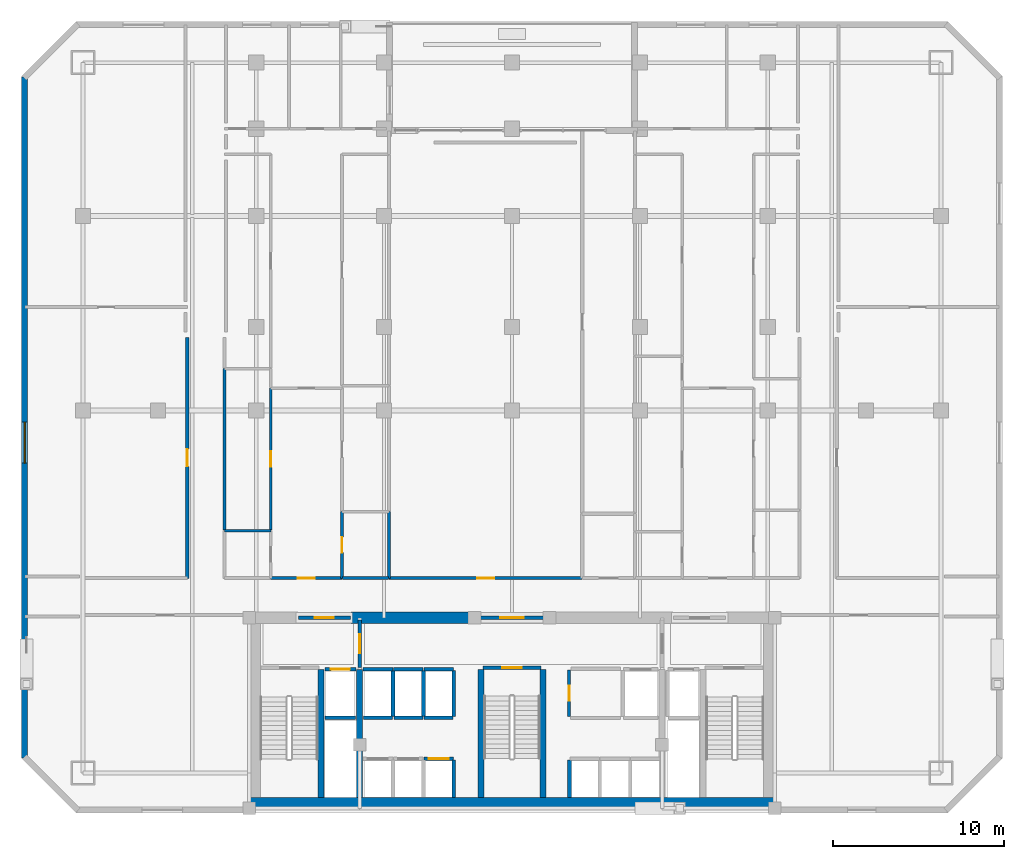
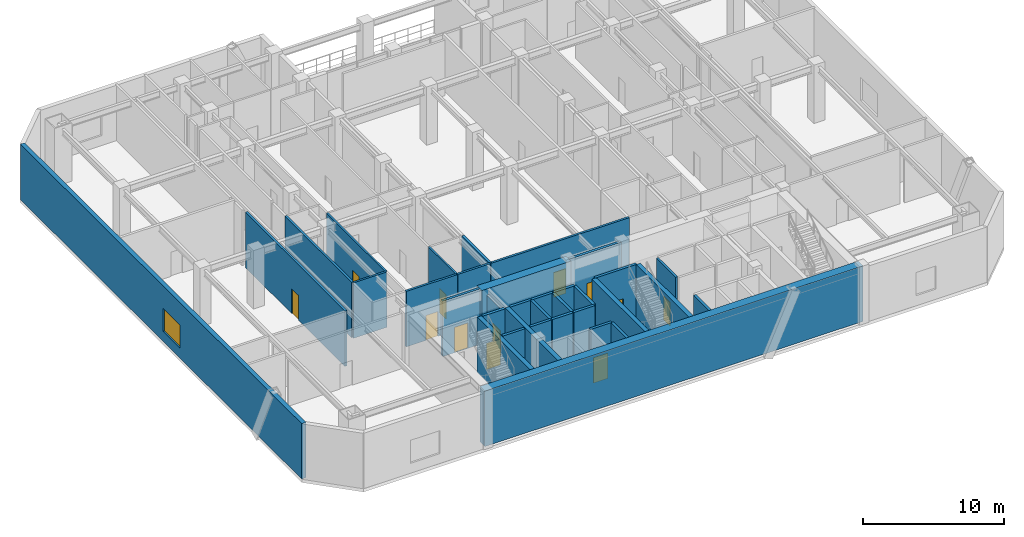
# One storey, part 7 of 12: 35 walls, 12 doors, 1 window, 13 openings.
"""IFC4 building model written with IfcOpenShell, lengths in metres."""

from ifc_helpers import new_model, si_unit, direction, frame, frame_2d, origin, place, context, subcontext, project, spatial, rectangle, extrude, material, layer, layer_set, type_object, element, fill, save


model = new_model("IFC4")

# Units and contexts
model_context = context("Model", 3, precision=1e-05, world=origin(), true_north=direction((0.0, 1.0)))
body_context = subcontext(model_context, "Body", "Model", "MODEL_VIEW")
ifc_project = project(units=[si_unit("LENGTHUNIT", "METRE"), si_unit("AREAUNIT", "SQUARE_METRE"), si_unit("VOLUMEUNIT", "CUBIC_METRE"), si_unit("PLANEANGLEUNIT", "RADIAN"), si_unit("MASSUNIT", "GRAM", prefix="KILO")], contexts=[model_context])

# Site, building, storey
site_placement = place(None, origin())
site = spatial("IfcSite", under=ifc_project, at=site_placement, CompositionType="ELEMENT")
building_placement = place(site_placement, origin())
building = spatial("IfcBuilding", under=site, at=building_placement, Name="Ventersveld Concourse Tower", CompositionType="ELEMENT")
storey_placement = place(building_placement, frame((0.0, 0.0, 76.0)))
storey = spatial("IfcBuildingStorey", under=building, at=storey_placement, Name="L18", CompositionType="ELEMENT", Elevation=76.0)

# Walls
ifc_material_1 = material(Name="Concrete C60/75", Category="concrete")
ifc_layer_1 = layer(ifc_material_1, 0.35009765625)
ifc_layer_set_1 = layer_set([ifc_layer_1], Name="Concrete C60/75")
wall_type_1 = type_object("IfcWallType", Name="WL-CORE-350L", PredefinedType="SHEAR", material=ifc_layer_set_1)
for number, where, z_axis, x_axis, name in (
    (1, (17.5400390625, 0.919921875, 0.0), (0.0, 0.0, 1.0), (0.0, 1.0, 0.0), "L18 Core Internal Shear Web W-ST1-E"),
    (2, (19.820068359375, 0.919921875, 0.0), (0.0, 0.0, 1.0), (0.0, 1.0, 0.0), "L18 Core Internal Shear Web W-FF1-E"),
    (3, (26.93994140625, 0.919921875, 0.0), (0.0, 0.0, 1.0), (0.0, 1.0, 0.0), "L18 Core Internal Shear Web W-ST3-W"),
    (4, (30.56005859375, 0.919921875, 0.0), (0.0, 0.0, 1.0), (0.0, 1.0, 0.0), "L18 Core Internal Shear Web W-ST3-E"),
):
    element("IfcWall", number, at=place(storey_placement, frame(where, z_axis=z_axis, x_axis=x_axis)), inside=storey, type_object=wall_type_1, Name=name, PredefinedType="SHEAR", context=body_context, shape_type="SweptSolid", body=[
        extrude(rectangle(XDim=7.5, YDim=0.35009765625, at=frame_2d((3.75, 0.0))), origin(), (0.0, 0.0, 1.0), 4.800048828125),
    ])
ifc_layer_2 = layer(ifc_material_1, 0.699951171875)
ifc_layer_set_2 = layer_set([ifc_layer_2], Name="Concrete C60/75")
wall_type_2 = type_object("IfcWallType", Name="WL-CORE-700", PredefinedType="SHEAR", material=ifc_layer_set_2)
wall_1_placement = place(storey_placement, frame((13.25, 0.570068359375, 0.0), z_axis=(0.0, 0.0, 1.0), x_axis=(1.0, 0.0, 0.0)))
element("IfcWall", 5, at=wall_1_placement, inside=storey, type_object=wall_type_2, Name="L18 Rear Core South Shear Wall", PredefinedType="SHEAR", context=body_context, shape_type="SweptSolid", body=[
    extrude(rectangle(XDim=31.0, YDim=0.699951171875, at=frame_2d((15.5, 0.0))), origin(), (0.0, 0.0, 1.0), 4.800048828125),
])
wall_2_placement = place(storey_placement, frame((19.300048828125, 11.449951171875, 0.0), z_axis=(0.0, 0.0, 1.0), x_axis=(1.0, 0.0, 0.0)))
element("IfcWall", 6, at=wall_2_placement, inside=storey, type_object=wall_type_2, Name="L18 Rear Core North Shear Wall NML", PredefinedType="SHEAR", context=body_context, shape_type="SweptSolid", body=[
    extrude(rectangle(XDim=7.300048828125, YDim=0.699951171875, at=frame_2d((3.64990234375, 0.0))), origin(), (0.0, 0.0, 1.0), 4.800048828125),
])

# Wall, opening, door
ifc_material_2 = material(Name="Fire-rated autoclaved aerated masonry blockwork", Category="masonry")
ifc_layer_3 = layer(ifc_material_2, 0.179931640625)
ifc_layer_set_3 = layer_set([ifc_layer_3], Name="Fire-rated autoclaved aerated masonry blockwork")
wall_type_3 = type_object("IfcWallType", Name="WL-CORR-180", PredefinedType="PARTITIONING", material=ifc_layer_set_3)
wall_3_placement = place(storey_placement, frame((32.10009765625, 5.64990234375, 0.0), z_axis=(0.0, 0.0, 1.0), x_axis=(0.0, 1.0, 0.0)))
wall_3 = element("IfcWall", 7, at=wall_3_placement, inside=storey, type_object=wall_type_3, Name="L18 Core Passage Wall SP-L18-CBAY1", PredefinedType="PARTITIONING", context=body_context, shape_type="SweptSolid", body=[
    extrude(rectangle(XDim=2.72998046875, YDim=0.179931640625, at=frame_2d((1.364990234375, 0.0))), origin(), (0.0, 0.0, 1.0), 4.800048828125),
])
opening_1_placement = place(wall_3_placement, frame((0.925048828125, 0.0, 0.0)))
opening_1 = element("IfcOpeningElement", 8, at=opening_1_placement, cuts=wall_3, Name="Opening FD5", PredefinedType="OPENING", context=body_context, shape_type="SweptSolid", body=[
    extrude(rectangle(XDim=0.8798828125, YDim=2.050048828125, at=frame_2d((0.43994140625, 1.02490234375))), frame((0.0, 0.10009765625, 0.0), z_axis=(0.0, -1.0, 0.0), x_axis=(1.0, 0.0, 0.0)), (0.0, 0.0, 1.0), 0.199951171875),
])
ifc_material_3 = material(Name="Galvanised painted steel", Category="steel")
door_type_1 = type_object("IfcDoorType", Name="DR-RISER-088", OperationType="NOTDEFINED", PredefinedType="DOOR", material=ifc_material_3)
door_1_placement = place(opening_1_placement, origin())
door_1 = element("IfcDoor", 9, at=door_1_placement, inside=storey, type_object=door_type_1, Name="L18 Core Room Door L18 Core Housekeeping Linen Store (CD-L18-0842)", OperationType="SINGLE_SWING_LEFT", OverallHeight=2.050048828125, OverallWidth=0.8798828125, PredefinedType="DOOR", context=body_context, shape_type="SweptSolid", body=[
    extrude(rectangle(XDim=0.8798828125, YDim=2.050048828125, at=frame_2d((0.43994140625, 1.02490234375))), frame((0.0, 0.02490234375, 0.0), z_axis=(0.0, -1.0, 0.0), x_axis=(1.0, 0.0, 0.0)), (0.0, 0.0, 1.0), 0.050048828125),
])
fill(opening_1, door_1)

wall_4_placement = place(storey_placement, frame((9.7099609375, 13.764892578125, 0.0), z_axis=(0.0, 0.0, 1.0), x_axis=(0.0, 1.0, 0.0)))
wall_4 = element("IfcWall", 10, at=wall_4_placement, inside=storey, type_object=wall_type_3, Name="L18 Interior Partition SP-L18-COR-SP-L18-NWLNG1", PredefinedType="PARTITIONING", context=body_context, shape_type="SweptSolid", body=[
    extrude(rectangle(XDim=14.130126953125, YDim=0.179931640625, at=frame_2d((7.06494140625, 0.0))), origin(), (0.0, 0.0, 1.0), 4.800048828125),
])
opening_2_placement = place(wall_4_placement, frame((6.56494140625, 0.0, 0.0)))
opening_2 = element("IfcOpeningElement", 11, at=opening_2_placement, cuts=wall_4, Name="Opening FD3", PredefinedType="OPENING", context=body_context, shape_type="SweptSolid", body=[
    extrude(rectangle(XDim=1.0, YDim=2.14990234375, at=frame_2d((0.5, 1.074951171875))), frame((0.0, 0.10009765625, 0.0), z_axis=(0.0, -1.0, 0.0), x_axis=(1.0, 0.0, 0.0)), (0.0, 0.0, 1.0), 0.199951171875),
])
ifc_material_4 = material(Name="Solid-core hardwood veneer timber", Category="wood")
door_type_2 = type_object("IfcDoorType", Name="DR-FLAT-100", OperationType="NOTDEFINED", PredefinedType="DOOR", material=ifc_material_4)
door_2_placement = place(opening_2_placement, origin())
door_2 = element("IfcDoor", 12, at=door_2_placement, inside=storey, type_object=door_type_2, Name="L18 Interior Door SP-L18-COR to SP-L18-NWLNG1 (D-L18-0845)", OperationType="SINGLE_SWING_LEFT", OverallHeight=2.14990234375, OverallWidth=1.0, PredefinedType="DOOR", context=body_context, shape_type="SweptSolid", body=[
    extrude(rectangle(XDim=1.0, YDim=2.14990234375, at=frame_2d((0.5, 1.074951171875))), frame((0.0, 0.02490234375, 0.0), z_axis=(0.0, -1.0, 0.0), x_axis=(1.0, 0.0, 0.0)), (0.0, 0.0, 1.0), 0.050048828125),
])
fill(opening_2, door_2)

wall_5_placement = place(storey_placement, frame((21.534912109375, 13.77001953125, 0.0), z_axis=(0.0, 0.0, 1.0), x_axis=(1.0, 0.0, 0.0)))
wall_5 = element("IfcWall", 13, at=wall_5_placement, inside=storey, type_object=wall_type_3, Name="L18 Interior Partition SP-L18-COR-SP-L18-SGLNG", PredefinedType="PARTITIONING", context=body_context, shape_type="SweptSolid", body=[
    extrude(rectangle(XDim=11.330078125, YDim=0.179931640625, at=frame_2d((5.6650390625, 0.0))), origin(), (0.0, 0.0, 1.0), 4.800048828125),
])
opening_3_placement = place(wall_5_placement, frame((5.1650390625, 0.0, 0.0)))
opening_3 = element("IfcOpeningElement", 14, at=opening_3_placement, cuts=wall_5, Name="Opening FD3", PredefinedType="OPENING", context=body_context, shape_type="SweptSolid", body=[
    extrude(rectangle(XDim=1.0, YDim=2.14990234375, at=frame_2d((0.5, 1.074951171875))), frame((0.0, 0.10009765625, 0.0), z_axis=(0.0, -1.0, 0.0), x_axis=(1.0, 0.0, 0.0)), (0.0, 0.0, 1.0), 0.199951171875),
])
door_3_placement = place(opening_3_placement, origin())
door_3 = element("IfcDoor", 15, at=door_3_placement, inside=storey, type_object=door_type_2, Name="L18 Interior Door SP-L18-COR to SP-L18-SGLNG (D-L18-0847)", OperationType="SINGLE_SWING_LEFT", OverallHeight=2.14990234375, OverallWidth=1.0, PredefinedType="DOOR", context=body_context, shape_type="SweptSolid", body=[
    extrude(rectangle(XDim=1.0, YDim=2.14990234375, at=frame_2d((0.5, 1.074951171875))), frame((0.0, 0.02490234375, 0.0), z_axis=(0.0, -1.0, 0.0), x_axis=(1.0, 0.0, 0.0)), (0.0, 0.0, 1.0), 0.050048828125),
])
fill(opening_3, door_3)

wall_6_placement = place(storey_placement, frame((14.602294921875, 13.77001953125, 0.0), z_axis=(0.0, 0.0, 1.0), x_axis=(1.0, 0.0, 0.0)))
wall_6 = element("IfcWall", 16, at=wall_6_placement, inside=storey, type_object=wall_type_3, Name="L18 Interior Partition SP-L18-COR-SP-L18-18CW-FOY", PredefinedType="PARTITIONING", context=body_context, shape_type="SweptSolid", body=[
    extrude(rectangle(XDim=4.18603515625, YDim=0.179931640625, at=frame_2d((2.093017578125, 0.0))), origin(), (0.0, 0.0, 1.0), 4.800048828125),
])
opening_4_placement = place(wall_6_placement, frame((1.593017578125, 0.0, 0.0)))
opening_4 = element("IfcOpeningElement", 17, at=opening_4_placement, cuts=wall_6, Name="Opening FD3", PredefinedType="OPENING", context=body_context, shape_type="SweptSolid", body=[
    extrude(rectangle(XDim=1.0, YDim=2.14990234375, at=frame_2d((0.5, 1.074951171875))), frame((0.0, 0.10009765625, 0.0), z_axis=(0.0, -1.0, 0.0), x_axis=(1.0, 0.0, 0.0)), (0.0, 0.0, 1.0), 0.199951171875),
])
door_4_placement = place(opening_4_placement, origin())
door_4 = element("IfcDoor", 18, at=door_4_placement, inside=storey, type_object=door_type_2, Name="L18 Interior Door SP-L18-COR to SP-L18-18CW-FOY (FD-L18-0849)", OperationType="SINGLE_SWING_LEFT", OverallHeight=2.14990234375, OverallWidth=1.0, PredefinedType="DOOR", context=body_context, shape_type="SweptSolid", body=[
    extrude(rectangle(XDim=1.0, YDim=2.14990234375, at=frame_2d((0.5, 1.074951171875))), frame((0.0, 0.02490234375, 0.0), z_axis=(0.0, -1.0, 0.0), x_axis=(1.0, 0.0, 0.0)), (0.0, 0.0, 1.0), 0.050048828125),
])
fill(opening_4, door_4)

# Walls
wall_7_placement = place(storey_placement, frame((11.889892578125, 16.586181640625, 0.0), z_axis=(0.0, 0.0, 1.0), x_axis=(0.0, 1.0, 0.0)))
element("IfcWall", 19, at=wall_7_placement, inside=storey, type_object=wall_type_3, Name="L18 Interior Partition SP-L18-COR-SP-L18-18CW-OFFL0", PredefinedType="PARTITIONING", context=body_context, shape_type="SweptSolid", body=[
    extrude(rectangle(XDim=9.473388671875, YDim=0.179931640625, at=frame_2d((4.73681640625, 0.0))), origin(), (0.0, 0.0, 1.0), 4.800048828125),
])
wall_8_placement = place(storey_placement, frame((18.818359375, 13.77001953125, 0.0), z_axis=(0.0, 0.0, 1.0), x_axis=(1.0, 0.0, 0.0)))
element("IfcWall", 20, at=wall_8_placement, inside=storey, type_object=wall_type_3, Name="L18 Interior Partition SP-L18-COR-SP-L18-18CW-KIT", PredefinedType="PARTITIONING", context=body_context, shape_type="SweptSolid", body=[
    extrude(rectangle(XDim=2.6865234375, YDim=0.179931640625, at=frame_2d((1.34326171875, 0.0))), origin(), (0.0, 0.0, 1.0), 4.800048828125),
])
ifc_layer_4 = layer(ifc_material_2, 0.199951171875)
ifc_layer_set_4 = layer_set([ifc_layer_4], Name="Fire-rated autoclaved aerated masonry blockwork")
wall_type_4 = type_object("IfcWallType", Name="WL-DEMISE-200", PredefinedType="PARTITIONING", material=ifc_layer_set_4)
wall_9_placement = place(storey_placement, frame((21.5400390625, 13.764892578125, 0.0), z_axis=(0.0, 0.0, 1.0), x_axis=(0.0, 1.0, 0.0)))
element("IfcWall", 21, at=wall_9_placement, inside=storey, type_object=wall_type_4, Name="L18 Interior Partition SP-L18-SGLNG-SP-L18-18CW-KIT", PredefinedType="PARTITIONING", context=body_context, shape_type="SweptSolid", body=[
    extrude(rectangle(XDim=3.916015625, YDim=0.199951171875, at=frame_2d((1.9580078125, 0.0))), origin(), (0.0, 0.0, 1.0), 4.800048828125),
])
ifc_layer_5 = layer(ifc_material_2, 0.219970703125)
ifc_layer_set_5 = layer_set([ifc_layer_5], Name="Fire-rated autoclaved aerated masonry blockwork")
wall_type_5 = type_object("IfcWallType", Name="WL-HOIST-220", PredefinedType="SOLIDWALL", material=ifc_layer_set_5)
wall_10_placement = place(storey_placement, frame((17.800048828125, 5.590087890625, 0.0), z_axis=(0.0, 0.0, 1.0), x_axis=(1.0, 0.0, 0.0)))
element("IfcWall", 22, at=wall_10_placement, inside=storey, type_object=wall_type_5, Name="L18 Lift Hoistway Back Wall FFL-01", PredefinedType="SOLIDWALL", context=body_context, shape_type="SweptSolid", body=[
    extrude(rectangle(XDim=1.780029296875, YDim=0.219970703125, at=frame_2d((0.89013671875, 0.0))), origin(), (0.0, 0.0, 1.0), 4.800048828125),
])

# Wall, opening, door
wall_11_placement = place(storey_placement, frame((17.780029296875, 8.429931640625, 0.0), z_axis=(0.0, 0.0, 1.0), x_axis=(1.0, 0.0, 0.0)))
wall_11 = element("IfcWall", 23, at=wall_11_placement, inside=storey, type_object=wall_type_5, Name="L18 Lift Hoistway Front Wall FFL-01", PredefinedType="SOLIDWALL", context=body_context, shape_type="SweptSolid", body=[
    extrude(rectangle(XDim=1.820068359375, YDim=0.219970703125, at=frame_2d((0.91015625, 0.0))), origin(), (0.0, 0.0, 1.0), 4.800048828125),
])
opening_5_placement = place(wall_11_placement, frame((0.35009765625, 0.0, 0.0)))
opening_5 = element("IfcOpeningElement", 24, at=opening_5_placement, cuts=wall_11, Name="Opening LD1", PredefinedType="OPENING", context=body_context, shape_type="SweptSolid", body=[
    extrude(rectangle(XDim=1.1201171875, YDim=2.25, at=frame_2d((0.56005859375, 1.125))), frame((0.0, 0.1201171875, 0.0), z_axis=(0.0, -1.0, 0.0), x_axis=(1.0, 0.0, 0.0)), (0.0, 0.0, 1.0), 0.239990234375),
])
ifc_material_5 = material(Name="Brushed stainless steel 316", Category="steel")
door_type_3 = type_object("IfcDoorType", Name="LD-FF-112", OperationType="SLIDING_TO_LEFT", PredefinedType="DOOR", material=ifc_material_5)
door_5_placement = place(opening_5_placement, origin())
door_5 = element("IfcDoor", 25, at=door_5_placement, inside=storey, type_object=door_type_3, Name="L18 Lift landing door FFL-01 (LD-L18-FFL-01)", OperationType="SLIDING_TO_LEFT", OverallHeight=2.25, OverallWidth=1.1201171875, PredefinedType="DOOR", context=body_context, shape_type="SweptSolid", body=[
    extrude(rectangle(XDim=1.1201171875, YDim=2.25, at=frame_2d((0.56005859375, 1.125))), frame((0.0, 0.02490234375, 0.0), z_axis=(0.0, -1.0, 0.0), x_axis=(1.0, 0.0, 0.0)), (0.0, 0.0, 1.0), 0.050048828125),
])
fill(opening_5, door_5)

# Wall
wall_12_placement = place(storey_placement, frame((25.340087890625, 0.89990234375, 0.0), z_axis=(0.0, 0.0, 1.0), x_axis=(0.0, 1.0, 0.0)))
element("IfcWall", 26, at=wall_12_placement, inside=storey, type_object=wall_type_5, Name="L18 Lift Hoistway Side Wall PL-03E", PredefinedType="SOLIDWALL", context=body_context, shape_type="SweptSolid", body=[
    extrude(rectangle(XDim=2.2001953125, YDim=0.219970703125, at=frame_2d((1.10009765625, 0.0))), origin(), (0.0, 0.0, 1.0), 4.800048828125),
])

# Wall, opening, door
wall_13_placement = place(storey_placement, frame((23.580078125, 3.179931640625, 0.0), z_axis=(0.0, 0.0, 1.0), x_axis=(1.0, 0.0, 0.0)))
wall_13 = element("IfcWall", 27, at=wall_13_placement, inside=storey, type_object=wall_type_5, Name="L18 Lift Hoistway Front Wall PL-03", PredefinedType="SOLIDWALL", context=body_context, shape_type="SweptSolid", body=[
    extrude(rectangle(XDim=1.739990234375, YDim=0.219970703125, at=frame_2d((0.8701171875, 0.0))), origin(), (0.0, 0.0, 1.0), 4.800048828125),
])
opening_6_placement = place(wall_13_placement, frame((0.280029296875, 0.0, 0.0)))
opening_6 = element("IfcOpeningElement", 28, at=opening_6_placement, cuts=wall_13, Name="Opening LD2", PredefinedType="OPENING", context=body_context, shape_type="SweptSolid", body=[
    extrude(rectangle(XDim=1.179931640625, YDim=2.199951171875, at=frame_2d((0.58984375, 1.10009765625))), frame((0.0, 0.1201171875, 0.0), z_axis=(0.0, -1.0, 0.0), x_axis=(1.0, 0.0, 0.0)), (0.0, 0.0, 1.0), 0.239990234375),
])
door_type_4 = type_object("IfcDoorType", Name="LD-PAX-118", OperationType="SLIDING_TO_LEFT", PredefinedType="DOOR", material=ifc_material_5)
door_6_placement = place(opening_6_placement, origin())
door_6 = element("IfcDoor", 29, at=door_6_placement, inside=storey, type_object=door_type_4, Name="L18 Lift landing door PL-03 (LD-L18-PL-03)", OperationType="SLIDING_TO_RIGHT", OverallHeight=2.199951171875, OverallWidth=1.179931640625, PredefinedType="DOOR", context=body_context, shape_type="SweptSolid", body=[
    extrude(rectangle(XDim=1.179931640625, YDim=2.199951171875, at=frame_2d((0.58984375, 1.10009765625))), frame((0.0, 0.02490234375, 0.0), z_axis=(0.0, -1.0, 0.0), x_axis=(1.0, 0.0, 0.0)), (0.0, 0.0, 1.0), 0.050048828125),
])
fill(opening_6, door_6)

# Walls
wall_14_placement = place(storey_placement, frame((32.1201171875, 0.89990234375, 0.0), z_axis=(0.0, 0.0, 1.0), x_axis=(0.0, 1.0, 0.0)))
element("IfcWall", 30, at=wall_14_placement, inside=storey, type_object=wall_type_5, Name="L18 Lift Hoistway Side Wall PM-01W", PredefinedType="SOLIDWALL", context=body_context, shape_type="SweptSolid", body=[
    extrude(rectangle(XDim=2.2001953125, YDim=0.219970703125, at=frame_2d((1.10009765625, 0.0))), origin(), (0.0, 0.0, 1.0), 4.800048828125),
])
wall_15_placement = place(storey_placement, frame((20.0400390625, 5.590087890625, 0.0), z_axis=(0.0, 0.0, 1.0), x_axis=(1.0, 0.0, 0.0)))
element("IfcWall", 31, at=wall_15_placement, inside=storey, type_object=wall_type_5, Name="L18 Lift Hoistway Back Wall PH-01", PredefinedType="SOLIDWALL", context=body_context, shape_type="SweptSolid", body=[
    extrude(rectangle(XDim=1.699951171875, YDim=0.219970703125, at=frame_2d((0.85009765625, 0.0))), origin(), (0.0, 0.0, 1.0), 4.800048828125),
])
wall_16_placement = place(storey_placement, frame((21.780029296875, 5.64990234375, 0.0), z_axis=(0.0, 0.0, 1.0), x_axis=(0.0, 1.0, 0.0)))
element("IfcWall", 32, at=wall_16_placement, inside=storey, type_object=wall_type_5, Name="L18 Lift Hoistway Side Wall PH-01E", PredefinedType="SOLIDWALL", context=body_context, shape_type="SweptSolid", body=[
    extrude(rectangle(XDim=2.7001953125, YDim=0.219970703125, at=frame_2d((1.35009765625, 0.0))), origin(), (0.0, 0.0, 1.0), 4.800048828125),
])
wall_17_placement = place(storey_placement, frame((20.02001953125, 8.429931640625, 0.0), z_axis=(0.0, 0.0, 1.0), x_axis=(1.0, 0.0, 0.0)))
element("IfcWall", 33, at=wall_17_placement, inside=storey, type_object=wall_type_5, Name="L18 Lift Hoistway Front Wall PH-01", PredefinedType="SOLIDWALL", context=body_context, shape_type="SweptSolid", body=[
    extrude(rectangle(XDim=1.739990234375, YDim=0.219970703125, at=frame_2d((0.8701171875, 0.0))), origin(), (0.0, 0.0, 1.0), 4.800048828125),
])
wall_18_placement = place(storey_placement, frame((21.820068359375, 5.590087890625, 0.0), z_axis=(0.0, 0.0, 1.0), x_axis=(1.0, 0.0, 0.0)))
element("IfcWall", 34, at=wall_18_placement, inside=storey, type_object=wall_type_5, Name="L18 Lift Hoistway Back Wall PH-02", PredefinedType="SOLIDWALL", context=body_context, shape_type="SweptSolid", body=[
    extrude(rectangle(XDim=1.699951171875, YDim=0.219970703125, at=frame_2d((0.85009765625, 0.0))), origin(), (0.0, 0.0, 1.0), 4.800048828125),
])
wall_19_placement = place(storey_placement, frame((23.56005859375, 5.64990234375, 0.0), z_axis=(0.0, 0.0, 1.0), x_axis=(0.0, 1.0, 0.0)))
element("IfcWall", 35, at=wall_19_placement, inside=storey, type_object=wall_type_5, Name="L18 Lift Hoistway Side Wall PH-02E", PredefinedType="SOLIDWALL", context=body_context, shape_type="SweptSolid", body=[
    extrude(rectangle(XDim=2.7001953125, YDim=0.219970703125, at=frame_2d((1.35009765625, 0.0))), origin(), (0.0, 0.0, 1.0), 4.800048828125),
])
wall_20_placement = place(storey_placement, frame((21.800048828125, 8.429931640625, 0.0), z_axis=(0.0, 0.0, 1.0), x_axis=(1.0, 0.0, 0.0)))
element("IfcWall", 36, at=wall_20_placement, inside=storey, type_object=wall_type_5, Name="L18 Lift Hoistway Front Wall PH-02", PredefinedType="SOLIDWALL", context=body_context, shape_type="SweptSolid", body=[
    extrude(rectangle(XDim=1.739990234375, YDim=0.219970703125, at=frame_2d((0.8701171875, 0.0))), origin(), (0.0, 0.0, 1.0), 4.800048828125),
])
wall_21_placement = place(storey_placement, frame((23.60009765625, 5.590087890625, 0.0), z_axis=(0.0, 0.0, 1.0), x_axis=(1.0, 0.0, 0.0)))
element("IfcWall", 37, at=wall_21_placement, inside=storey, type_object=wall_type_5, Name="L18 Lift Hoistway Back Wall PH-03", PredefinedType="SOLIDWALL", context=body_context, shape_type="SweptSolid", body=[
    extrude(rectangle(XDim=1.699951171875, YDim=0.219970703125, at=frame_2d((0.85009765625, 0.0))), origin(), (0.0, 0.0, 1.0), 4.800048828125),
])
wall_22_placement = place(storey_placement, frame((25.340087890625, 5.64990234375, 0.0), z_axis=(0.0, 0.0, 1.0), x_axis=(0.0, 1.0, 0.0)))
element("IfcWall", 38, at=wall_22_placement, inside=storey, type_object=wall_type_5, Name="L18 Lift Hoistway Side Wall PH-03E", PredefinedType="SOLIDWALL", context=body_context, shape_type="SweptSolid", body=[
    extrude(rectangle(XDim=2.7001953125, YDim=0.219970703125, at=frame_2d((1.35009765625, 0.0))), origin(), (0.0, 0.0, 1.0), 4.800048828125),
])
wall_23_placement = place(storey_placement, frame((23.580078125, 8.429931640625, 0.0), z_axis=(0.0, 0.0, 1.0), x_axis=(1.0, 0.0, 0.0)))
element("IfcWall", 39, at=wall_23_placement, inside=storey, type_object=wall_type_5, Name="L18 Lift Hoistway Front Wall PH-03", PredefinedType="SOLIDWALL", context=body_context, shape_type="SweptSolid", body=[
    extrude(rectangle(XDim=1.739990234375, YDim=0.219970703125, at=frame_2d((0.8701171875, 0.0))), origin(), (0.0, 0.0, 1.0), 4.800048828125),
])

# Wall, opening, door
wall_24_placement = place(storey_placement, frame((27.0400390625, 8.52001953125, 0.0), z_axis=(0.0, 0.0, 1.0), x_axis=(1.0, 0.0, 0.0)))
wall_24 = element("IfcWall", 40, at=wall_24_placement, inside=storey, type_object=wall_type_5, Name="L18 Escape Stair ST03 Fire Wall", PredefinedType="SOLIDWALL", context=body_context, shape_type="SweptSolid", body=[
    extrude(rectangle(XDim=3.419921875, YDim=0.219970703125, at=frame_2d((1.7099609375, 0.0))), origin(), (0.0, 0.0, 1.0), 4.800048828125),
])
opening_7_placement = place(wall_24_placement, frame((1.135009765625, 0.0, 0.0)))
opening_7 = element("IfcOpeningElement", 41, at=opening_7_placement, cuts=wall_24, Name="Opening FD1", PredefinedType="OPENING", context=body_context, shape_type="SweptSolid", body=[
    extrude(rectangle(XDim=1.14990234375, YDim=2.199951171875, at=frame_2d((0.574951171875, 1.10009765625))), frame((0.0, 0.1201171875, 0.0), z_axis=(0.0, -1.0, 0.0), x_axis=(1.0, 0.0, 0.0)), (0.0, 0.0, 1.0), 0.239990234375),
])
door_type_5 = type_object("IfcDoorType", Name="DR-STAIR-115", OperationType="NOTDEFINED", PredefinedType="DOOR", material=ifc_material_3)
door_7_placement = place(opening_7_placement, origin())
door_7 = element("IfcDoor", 42, at=door_7_placement, inside=storey, type_object=door_type_5, Name="L18 Escape Stair Door ST03 (SD-L18-0836)", OperationType="SINGLE_SWING_LEFT", OverallHeight=2.199951171875, OverallWidth=1.14990234375, PredefinedType="DOOR", context=body_context, shape_type="SweptSolid", body=[
    extrude(rectangle(XDim=1.14990234375, YDim=2.199951171875, at=frame_2d((0.574951171875, 1.10009765625))), frame((0.0, 0.02490234375, 0.0), z_axis=(0.0, -1.0, 0.0), x_axis=(1.0, 0.0, 0.0)), (0.0, 0.0, 1.0), 0.050048828125),
])
fill(opening_7, door_7)

wall_25_placement = place(storey_placement, frame((19.820068359375, 8.52001953125, 0.0), z_axis=(0.0, 0.0, 1.0), x_axis=(0.0, 1.0, 0.0)))
wall_25 = element("IfcWall", 43, at=wall_25_placement, inside=storey, type_object=wall_type_5, Name="L18 Firefighting Lobby Smoke-Stop Wall FFLW-SEP", PredefinedType="SOLIDWALL", context=body_context, shape_type="SweptSolid", body=[
    extrude(rectangle(XDim=2.800048828125, YDim=0.219970703125, at=frame_2d((1.39990234375, 0.0))), origin(), (0.0, 0.0, 1.0), 4.255615234375),
])
opening_8_placement = place(wall_25_placement, frame((0.85009765625, 0.0, 0.0)))
opening_8 = element("IfcOpeningElement", 44, at=opening_8_placement, cuts=wall_25, Name="Opening FD2", PredefinedType="OPENING", context=body_context, shape_type="SweptSolid", body=[
    extrude(rectangle(XDim=1.10009765625, YDim=2.199951171875, at=frame_2d((0.550048828125, 1.10009765625))), frame((0.0, 0.1201171875, 0.0), z_axis=(0.0, -1.0, 0.0), x_axis=(1.0, 0.0, 0.0)), (0.0, 0.0, 1.0), 0.239990234375),
])
door_type_6 = type_object("IfcDoorType", Name="DR-FFL-110", OperationType="NOTDEFINED", PredefinedType="DOOR", material=ifc_material_3)
door_8_placement = place(opening_8_placement, origin())
door_8 = element("IfcDoor", 45, at=door_8_placement, inside=storey, type_object=door_type_6, Name="L18 Firefighting Lobby Door FFLW-SEP (FD-L18-0837)", OperationType="SINGLE_SWING_LEFT", OverallHeight=2.199951171875, OverallWidth=1.10009765625, PredefinedType="DOOR", context=body_context, shape_type="SweptSolid", body=[
    extrude(rectangle(XDim=1.10009765625, YDim=2.199951171875, at=frame_2d((0.550048828125, 1.10009765625))), frame((0.0, 0.02490234375, 0.0), z_axis=(0.0, -1.0, 0.0), x_axis=(1.0, 0.0, 0.0)), (0.0, 0.0, 1.0), 0.050048828125),
])
fill(opening_8, door_8)

wall_26_placement = place(storey_placement, frame((16.22998046875, 11.449951171875, 0.0), z_axis=(0.0, 0.0, 1.0), x_axis=(1.0, 0.0, 0.0)))
wall_26 = element("IfcWall", 46, at=wall_26_placement, inside=storey, type_object=wall_type_5, Name="L18 Core North Fire Portal FFLW-OUT", PredefinedType="SOLIDWALL", context=body_context, shape_type="SweptSolid", body=[
    extrude(rectangle(XDim=3.0400390625, YDim=0.219970703125, at=frame_2d((1.52001953125, 0.0))), origin(), (0.0, 0.0, 1.0), 4.800048828125),
])
opening_9_placement = place(wall_26_placement, frame((0.969970703125, 0.0, 0.0)))
opening_9 = element("IfcOpeningElement", 47, at=opening_9_placement, cuts=wall_26, Name="Opening FD2", PredefinedType="OPENING", context=body_context, shape_type="SweptSolid", body=[
    extrude(rectangle(XDim=1.10009765625, YDim=2.199951171875, at=frame_2d((0.550048828125, 1.10009765625))), frame((0.0, 0.1201171875, 0.0), z_axis=(0.0, -1.0, 0.0), x_axis=(1.0, 0.0, 0.0)), (0.0, 0.0, 1.0), 0.239990234375),
])
door_9_placement = place(opening_9_placement, origin())
door_9 = element("IfcDoor", 48, at=door_9_placement, inside=storey, type_object=door_type_6, Name="L18 Core Lobby Fire Door FFLW-OUT (FD-L18-0839)", OperationType="SINGLE_SWING_RIGHT", OverallHeight=2.199951171875, OverallWidth=1.10009765625, PredefinedType="DOOR", context=body_context, shape_type="SweptSolid", body=[
    extrude(rectangle(XDim=1.10009765625, YDim=2.199951171875, at=frame_2d((0.550048828125, 1.10009765625))), frame((0.0, 0.02490234375, 0.0), z_axis=(0.0, -1.0, 0.0), x_axis=(1.0, 0.0, 0.0)), (0.0, 0.0, 1.0), 0.050048828125),
])
fill(opening_9, door_9)

wall_27_placement = place(storey_placement, frame((26.6298828125, 11.449951171875, 0.0), z_axis=(0.0, 0.0, 1.0), x_axis=(1.0, 0.0, 0.0)))
wall_27 = element("IfcWall", 49, at=wall_27_placement, inside=storey, type_object=wall_type_5, Name="L18 Core North Fire Portal PLOB-OUT", PredefinedType="SOLIDWALL", context=body_context, shape_type="SweptSolid", body=[
    extrude(rectangle(XDim=4.240234375, YDim=0.219970703125, at=frame_2d((2.1201171875, 0.0))), origin(), (0.0, 0.0, 1.0), 4.800048828125),
])
opening_10_placement = place(wall_27_placement, frame((1.419921875, 0.0, 0.0)))
opening_10 = element("IfcOpeningElement", 50, at=opening_10_placement, cuts=wall_27, Name="Opening FD4", PredefinedType="OPENING", context=body_context, shape_type="SweptSolid", body=[
    extrude(rectangle(XDim=1.39990234375, YDim=2.199951171875, at=frame_2d((0.699951171875, 1.10009765625))), frame((0.0, 0.1201171875, 0.0), z_axis=(0.0, -1.0, 0.0), x_axis=(1.0, 0.0, 0.0)), (0.0, 0.0, 1.0), 0.239990234375),
])
door_type_7 = type_object("IfcDoorType", Name="DR-PLANT-140", OperationType="DOUBLE_DOOR_SINGLE_SWING", PredefinedType="DOOR", material=ifc_material_3)
door_10_placement = place(opening_10_placement, origin())
door_10 = element("IfcDoor", 51, at=door_10_placement, inside=storey, type_object=door_type_7, Name="L18 Core Lobby Fire Door PLOB-OUT (FD-L18-0840)", OperationType="DOUBLE_DOOR_SINGLE_SWING", OverallHeight=2.199951171875, OverallWidth=1.39990234375, PredefinedType="DOOR", context=body_context, shape_type="SweptSolid", body=[
    extrude(rectangle(XDim=1.39990234375, YDim=2.199951171875, at=frame_2d((0.699951171875, 1.10009765625))), frame((0.0, 0.02490234375, 0.0), z_axis=(0.0, -1.0, 0.0), x_axis=(1.0, 0.0, 0.0)), (0.0, 0.0, 1.0), 0.050048828125),
])
fill(opening_10, door_10)

ifc_material_6 = material(Name="Autoclaved aerated masonry blockwork", Category="masonry")
ifc_layer_6 = layer(ifc_material_6, 0.14990234375)
ifc_layer_set_6 = layer_set([ifc_layer_6], Name="Autoclaved aerated masonry blockwork")
wall_type_6 = type_object("IfcWallType", Name="WL-INT-150", PredefinedType="PARTITIONING", material=ifc_layer_set_6)
wall_28_placement = place(storey_placement, frame((14.607177734375, 16.586181640625, 0.0), z_axis=(0.0, 0.0, 1.0), x_axis=(0.0, 1.0, 0.0)))
wall_28 = element("IfcWall", 52, at=wall_28_placement, inside=storey, type_object=wall_type_6, Name="L18 Interior Partition SP-L18-18CW-FOY-SP-L18-18CW-OFFL0", PredefinedType="PARTITIONING", context=body_context, shape_type="SweptSolid", body=[
    extrude(rectangle(XDim=8.330810546875, YDim=0.14990234375, at=frame_2d((4.16552734375, 0.0))), origin(), (0.0, 0.0, 1.0), 4.800048828125),
])
opening_11_placement = place(wall_28_placement, frame((3.705322265625, 0.0, 0.0)))
opening_11 = element("IfcOpeningElement", 53, at=opening_11_placement, cuts=wall_28, Name="Opening ID1", PredefinedType="OPENING", context=body_context, shape_type="SweptSolid", body=[
    extrude(rectangle(XDim=0.919921875, YDim=2.10009765625, at=frame_2d((0.4599609375, 1.050048828125))), frame((0.0, 0.0849609375, 0.0), z_axis=(0.0, -1.0, 0.0), x_axis=(1.0, 0.0, 0.0)), (0.0, 0.0, 1.0), 0.169921875),
])
door_type_8 = type_object("IfcDoorType", Name="DR-ROOM-092", OperationType="NOTDEFINED", PredefinedType="DOOR", material=ifc_material_4)
door_11_placement = place(opening_11_placement, origin())
door_11 = element("IfcDoor", 54, at=door_11_placement, inside=storey, type_object=door_type_8, Name="L18 Interior Door SP-L18-18CW-FOY to SP-L18-18CW-OFFL0 (D-L18-0856)", OperationType="SINGLE_SWING_RIGHT", OverallHeight=2.10009765625, OverallWidth=0.919921875, PredefinedType="DOOR", context=body_context, shape_type="SweptSolid", body=[
    extrude(rectangle(XDim=0.919921875, YDim=2.10009765625, at=frame_2d((0.4599609375, 1.050048828125))), frame((0.0, 0.02490234375, 0.0), z_axis=(0.0, -1.0, 0.0), x_axis=(1.0, 0.0, 0.0)), (0.0, 0.0, 1.0), 0.050048828125),
])
fill(opening_11, door_11)

wall_29_placement = place(storey_placement, frame((18.783447265625, 13.764892578125, 0.0), z_axis=(0.0, 0.0, 1.0), x_axis=(0.0, 1.0, 0.0)))
wall_29 = element("IfcWall", 55, at=wall_29_placement, inside=storey, type_object=wall_type_6, Name="L18 Interior Partition SP-L18-18CW-FOY-SP-L18-18CW-KIT", PredefinedType="PARTITIONING", context=body_context, shape_type="SweptSolid", body=[
    extrude(rectangle(XDim=3.916015625, YDim=0.14990234375, at=frame_2d((1.9580078125, 0.0))), origin(), (0.0, 0.0, 1.0), 4.800048828125),
])
opening_12_placement = place(wall_29_placement, frame((1.497802734375, 0.0, 0.0)))
opening_12 = element("IfcOpeningElement", 56, at=opening_12_placement, cuts=wall_29, Name="Opening ID1", PredefinedType="OPENING", context=body_context, shape_type="SweptSolid", body=[
    extrude(rectangle(XDim=0.919921875, YDim=2.10009765625, at=frame_2d((0.4599609375, 1.050048828125))), frame((0.0, 0.0849609375, 0.0), z_axis=(0.0, -1.0, 0.0), x_axis=(1.0, 0.0, 0.0)), (0.0, 0.0, 1.0), 0.169921875),
])
door_12_placement = place(opening_12_placement, origin())
door_12 = element("IfcDoor", 57, at=door_12_placement, inside=storey, type_object=door_type_8, Name="L18 Interior Door SP-L18-18CW-FOY to SP-L18-18CW-KIT (D-L18-0857)", OperationType="SINGLE_SWING_LEFT", OverallHeight=2.10009765625, OverallWidth=0.919921875, PredefinedType="DOOR", context=body_context, shape_type="SweptSolid", body=[
    extrude(rectangle(XDim=0.919921875, YDim=2.10009765625, at=frame_2d((0.4599609375, 1.050048828125))), frame((0.0, 0.02490234375, 0.0), z_axis=(0.0, -1.0, 0.0), x_axis=(1.0, 0.0, 0.0)), (0.0, 0.0, 1.0), 0.050048828125),
])
fill(opening_12, door_12)

# Wall, opening, window
ifc_material_7 = material(Name="Precast concrete C45/55", Category="concrete")
ifc_layer_7 = layer(ifc_material_7, 0.35009765625)
ifc_layer_set_7 = layer_set([ifc_layer_7], Name="Precast concrete C45/55")
wall_type_7 = type_object("IfcWallType", Name="WL-PREC-350", PredefinedType="SOLIDWALL", material=ifc_layer_set_7)
wall_30_placement = place(storey_placement, frame((0.175048828125, 43.159912109375, 0.0), z_axis=(0.0, 0.0, 1.0), x_axis=(0.0, -1.0, 0.0)))
wall_30 = element("IfcWall", 58, at=wall_30_placement, inside=storey, type_object=wall_type_7, Name="L18 Highveld Precast Facade Wall E11", PredefinedType="SOLIDWALL", context=body_context, shape_type="SweptSolid", body=[
    extrude(rectangle(XDim=39.919921875, YDim=0.35009765625, at=frame_2d((19.9599609375, 0.0))), origin(), (0.0, 0.0, 1.0), 4.800048828125),
])
opening_13_placement = place(wall_30_placement, frame((20.239990234375, 0.0, 0.85009765625)))
opening_13 = element("IfcOpeningElement", 59, at=opening_13_placement, cuts=wall_30, Name="Opening W5", PredefinedType="OPENING", context=body_context, shape_type="SweptSolid", body=[
    extrude(rectangle(XDim=2.39990234375, YDim=2.0, at=frame_2d((1.199951171875, 1.0))), frame((0.0, 0.18505859375, 0.0), z_axis=(0.0, -1.0, 0.0), x_axis=(1.0, 0.0, 0.0)), (0.0, 0.0, 1.0), 0.3701171875),
])
ifc_material_8 = material(Name="Tempered acoustic Low-E IGU", Category="glass")
window_type = type_object("IfcWindowType", Name="WIN-240x210", PartitioningType="SINGLE_PANEL", PredefinedType="WINDOW", material=ifc_material_8)
window_placement = place(opening_13_placement, origin())
window = element("IfcWindow", 60, at=window_placement, inside=storey, type_object=window_type, Name="L18 Punched Low-E Window W-0180", OverallHeight=2.0, OverallWidth=2.39990234375, PartitioningType="SINGLE_PANEL", PredefinedType="WINDOW", context=body_context, shape_type="SweptSolid", body=[
    extrude(rectangle(XDim=2.39990234375, YDim=2.0, at=frame_2d((1.199951171875, 1.0))), frame((0.0, 0.030029296875, 0.0), z_axis=(0.0, -1.0, 0.0), x_axis=(1.0, 0.0, 0.0)), (0.0, 0.0, 1.0), 0.06005859375),
])
fill(opening_13, window)

# Wall
ifc_layer_8 = layer(ifc_material_6, 0.1650390625)
ifc_layer_set_8 = layer_set([ifc_layer_8], Name="Autoclaved aerated masonry blockwork")
wall_type_8 = type_object("IfcWallType", Name="WL-WET-165", PredefinedType="PLUMBINGWALL", material=ifc_layer_set_8)
wall_31_placement = place(storey_placement, frame((11.885009765625, 16.55126953125, 0.0), z_axis=(0.0, 0.0, 1.0), x_axis=(1.0, 0.0, 0.0)))
element("IfcWall", 61, at=wall_31_placement, inside=storey, type_object=wall_type_8, Name="L18 Interior Partition SP-L18-18CW-BATH-SP-L18-18CW-OFFL0", PredefinedType="PLUMBINGWALL", context=body_context, shape_type="SweptSolid", body=[
    extrude(rectangle(XDim=2.727294921875, YDim=0.1650390625, at=frame_2d((1.36376953125, 0.0))), origin(), (0.0, 0.0, 1.0), 4.800048828125),
])

save(model, "model.ifc")
